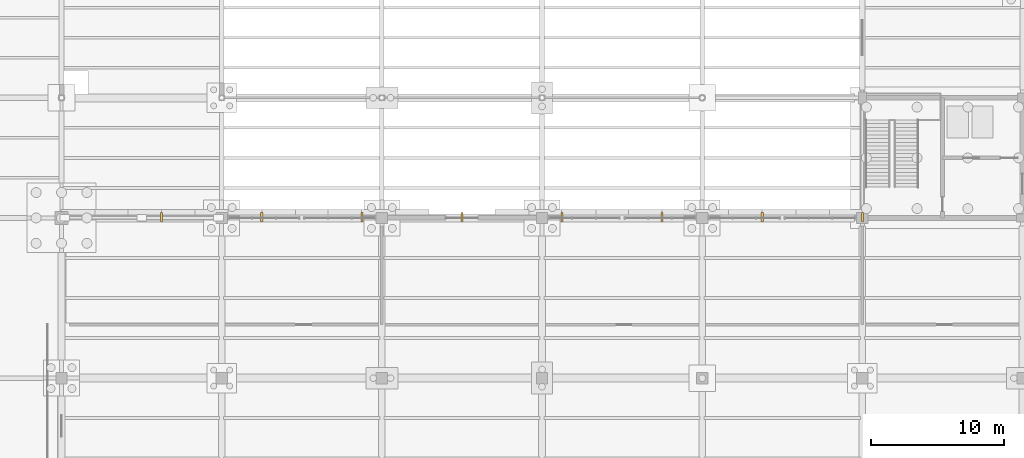
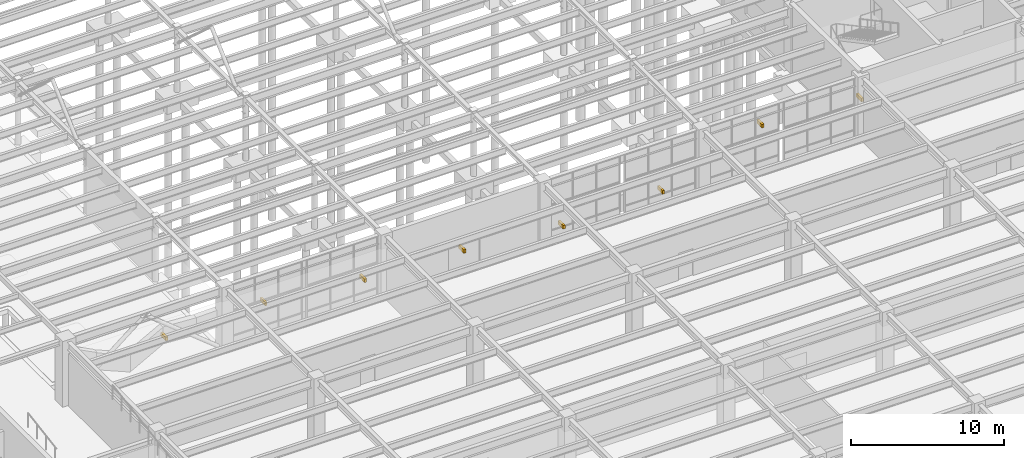
# One storey, part 84 of 85: 8 coverings.
"""IFC4 building model written with IfcOpenShell, lengths in metres."""

from ifc_helpers import new_model, si_unit, direction, frame, frame_2d, origin, place, context, subcontext, project, spatial, rectangle, extrude, material, layer, layer_set, type_object, element, save


model = new_model("IFC4")

# Units and contexts
model_context = context("Model", 3, precision=1e-05, world=origin(), true_north=direction((0.0, 1.0)))
body_context = subcontext(model_context, "Body", "Model", "MODEL_VIEW")
ifc_project = project(units=[si_unit("LENGTHUNIT", "METRE"), si_unit("AREAUNIT", "SQUARE_METRE"), si_unit("VOLUMEUNIT", "CUBIC_METRE"), si_unit("PLANEANGLEUNIT", "RADIAN"), si_unit("MASSUNIT", "GRAM", prefix="KILO")], contexts=[model_context])

# Site, building, storey
site_placement = place(None, origin())
site = spatial("IfcSite", under=ifc_project, at=site_placement, CompositionType="ELEMENT")
building_placement = place(site_placement, origin())
building = spatial("IfcBuilding", under=site, at=building_placement, Name="Keelwater Ferry Terminal", CompositionType="ELEMENT")
storey_placement = place(building_placement, origin())
storey = spatial("IfcBuildingStorey", under=building, at=storey_placement, Name="L00", CompositionType="ELEMENT", Elevation=0.0)

# Coverings
ifc_material = material(Name="Matte white architectural aluminium fascia ribbon", Category="aluminium")
ifc_layer = layer(ifc_material, 0.1201171875)
ifc_layer_set = layer_set([ifc_layer], Name="Matte white architectural aluminium fascia ribbon")
covering_type = type_object("IfcCoveringType", Name="RB-WHT Matte White Fascia Ribbon", PredefinedType="CLADDING", material=ifc_layer_set)
for number, where, z_axis, x_axis, name in (
    (1, (108.0, 90.419921875, 3.06201171875), (0.0, 0.0, 1.0), (0.0, -1.0, 0.0), "Ribbon Horizontal Tie Bracket 5"),
    (2, (100.5, 90.419921875, 3.597900390625), (0.0, 0.0, 1.0), (0.0, -1.0, 0.0), "Ribbon Horizontal Tie Bracket 24"),
):
    element("IfcCovering", number, at=place(storey_placement, frame(where, z_axis=z_axis, x_axis=x_axis)), inside=storey, type_object=covering_type, Name=name, PredefinedType="CLADDING", context=body_context, shape_type="SweptSolid", body=[
        extrude(rectangle(XDim=0.669921875, YDim=0.159912109375, at=frame_2d((0.3349609375, 0.0))), origin(), (0.0, 0.0, 1.0), 0.280029296875),
    ])
covering_placement = place(storey_placement, frame((93.0, 90.419921875, 0.93310546875), z_axis=(0.0, 0.0, 1.0), x_axis=(0.0, -1.0, 0.0)))
element("IfcCovering", 3, at=covering_placement, inside=storey, type_object=covering_type, Name="Ribbon Horizontal Tie Bracket 43", PredefinedType="CLADDING", context=body_context, shape_type="SweptSolid", body=[
    extrude(rectangle(XDim=0.669921875, YDim=0.159912109375, at=frame_2d((0.3349609375, 0.0))), origin(), (0.0, 0.0, 1.0), 0.27978515625),
])
for number, where, z_axis, x_axis, name in (
    (4, (85.5, 90.419921875, 0.784912109375), (0.0, 0.0, 1.0), (0.0, -1.0, 0.0), "Ribbon Horizontal Tie Bracket 62"),
    (5, (78.0, 90.419921875, 1.471923828125), (0.0, 0.0, 1.0), (0.0, -1.0, 0.0), "Ribbon Horizontal Tie Bracket 80"),
    (6, (70.5, 90.419921875, 1.764892578125), (0.0, 0.0, 1.0), (0.0, -1.0, 0.0), "Ribbon Horizontal Tie Bracket 100"),
    (7, (63.0, 90.419921875, 2.531005859375), (0.0, 0.0, 1.0), (0.0, -1.0, 0.0), "Ribbon Horizontal Tie Bracket 119"),
    (8, (55.5, 90.419921875, 2.368896484375), (0.0, 0.0, 1.0), (0.0, -1.0, 0.0), "Ribbon Horizontal Tie Bracket 138"),
):
    element("IfcCovering", number, at=place(storey_placement, frame(where, z_axis=z_axis, x_axis=x_axis)), inside=storey, type_object=covering_type, Name=name, PredefinedType="CLADDING", context=body_context, shape_type="SweptSolid", body=[
        extrude(rectangle(XDim=0.669921875, YDim=0.159912109375, at=frame_2d((0.3349609375, 0.0))), origin(), (0.0, 0.0, 1.0), 0.280029296875),
    ])

save(model, "model.ifc")
